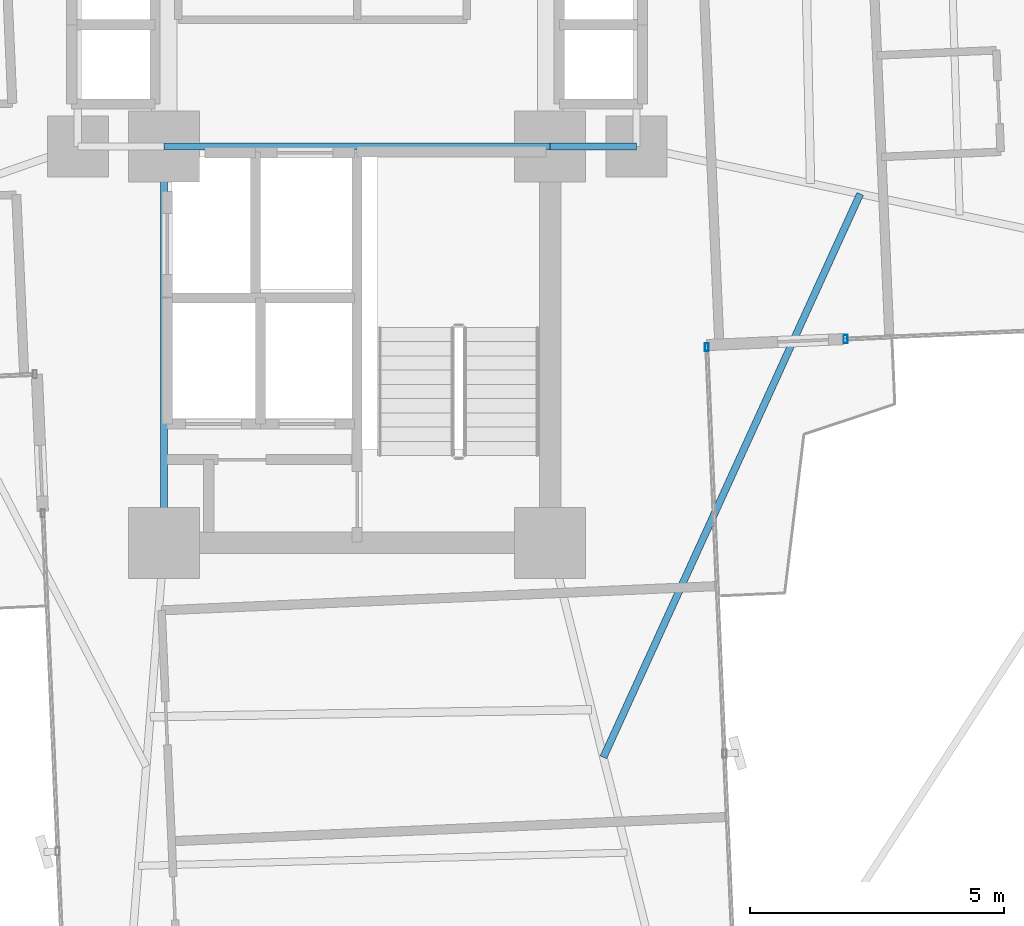
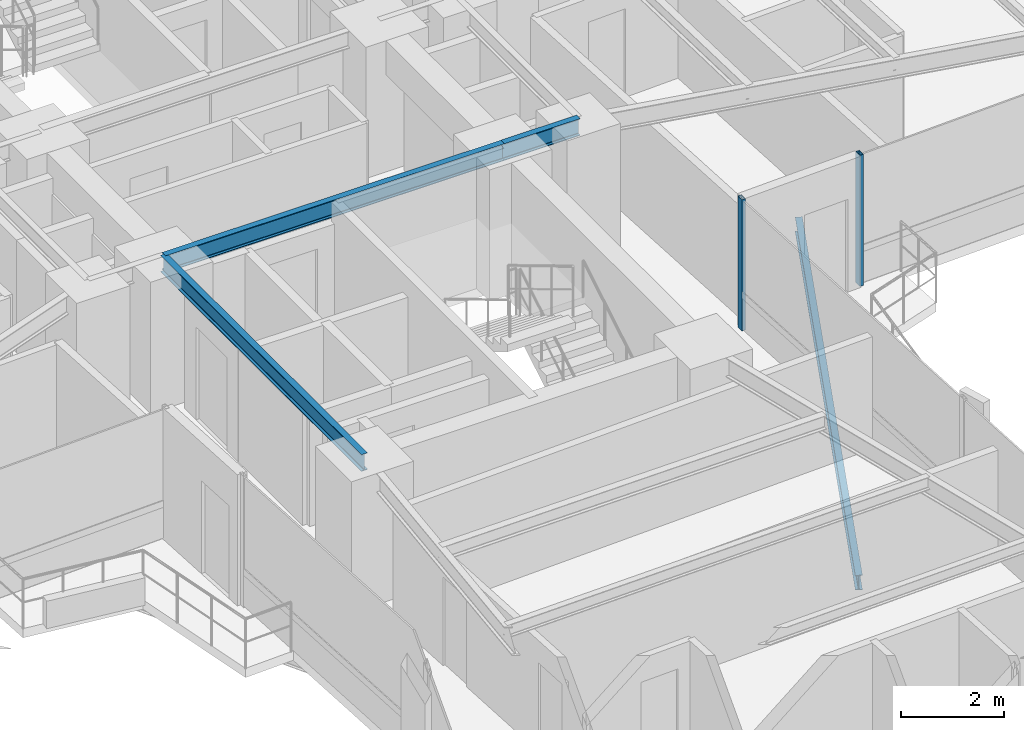
# One storey, part 11 of 26: 4 beams, 2 members, 2 elements without a shape of their own.
"""IFC4 building model written with IfcOpenShell, lengths in metres."""

from ifc_helpers import new_model, si_unit, direction, frame, origin, origin_2d, place, context, subcontext, project, spatial, hollow_rectangle, i_section, extrude, source, transform, mapped, material, material_profile, profile_set, type_object, element, aggregate, save


model = new_model("IFC4")

# Units and contexts
model_context = context("Model", 3, precision=1e-05, world=origin(), true_north=direction((0.0, 1.0)))
body_context = subcontext(model_context, "Body", "Model", "MODEL_VIEW")
ifc_project = project(units=[si_unit("LENGTHUNIT", "METRE"), si_unit("AREAUNIT", "SQUARE_METRE"), si_unit("VOLUMEUNIT", "CUBIC_METRE"), si_unit("PLANEANGLEUNIT", "RADIAN"), si_unit("MASSUNIT", "GRAM", prefix="KILO")], contexts=[model_context])

# Site, building, storey
site_placement = place(None, origin())
site = spatial("IfcSite", under=ifc_project, at=site_placement, CompositionType="ELEMENT")
building_placement = place(site_placement, origin())
building = spatial("IfcBuilding", under=site, at=building_placement, Name="Sahyath Konkavel Grand Hotel", CompositionType="ELEMENT")
storey_placement = place(building_placement, frame((0.0, 0.0, 111.449951171875)))
storey = spatial("IfcBuildingStorey", under=building, at=storey_placement, Name="L30", CompositionType="ELEMENT", Elevation=111.449951171875)

# Beams
ifc_material_1 = material(Name="Steel E350", Category="steel")
ifc_material_profile_1 = material_profile(ifc_material_1, i_section(OverallWidth=0.139892578125, OverallDepth=0.39990234375, WebThickness=0.0087890625, FlangeThickness=0.01611328125, FilletRadius=0.013916015625, at=origin_2d()), Name="ISMB 400")
ifc_profile_set_1 = profile_set([ifc_material_profile_1], Name="Steel E350")
beam_type_1 = type_object("IfcBeamType", Name="BM-ISMB400", PredefinedType="BEAM", material=ifc_profile_set_1)
shared_shape_1 = source(origin(), body_context, "Body", "SweptSolid", [
    extrude(i_section(OverallWidth=0.139892578125, OverallDepth=0.39990234375, WebThickness=0.0087890625, FlangeThickness=0.01611328125, FilletRadius=0.013916015625, at=origin_2d()), origin(), (0.0, 0.0, 1.0), 7.60009765625),
])
beam_1_placement = place(storey_placement, frame((-3.800048828125, -2.39990234375, 2.91015625), z_axis=(1.0, 0.0, 0.0), x_axis=(0.0, 1.0, 0.0)))
element("IfcBeam", 1, at=beam_1_placement, inside=storey, type_object=beam_type_1, Name="str:bm:L30:SC-N", PredefinedType="BEAM", context=body_context, shape_type="MappedRepresentation", body=[
    mapped(shared_shape_1, transform((0.0, 0.0, 0.0), scale=1.0)),
])
shared_shape_2 = source(origin(), body_context, "Body", "SweptSolid", [
    extrude(i_section(OverallWidth=0.139892578125, OverallDepth=0.39990234375, WebThickness=0.0087890625, FlangeThickness=0.01611328125, FilletRadius=0.013916015625, at=origin_2d()), origin(), (0.0, 0.0, 1.0), 7.800048828125),
])
beam_2_placement = place(storey_placement, frame((-3.800048828125, -10.199951171875, 2.91015625), z_axis=(0.0, 1.0, 0.0), x_axis=(-1.0, 0.0, 0.0)))
element("IfcBeam", 2, at=beam_2_placement, inside=storey, type_object=beam_type_1, Name="str:bm:L30:SC-W", PredefinedType="BEAM", context=body_context, shape_type="MappedRepresentation", body=[
    mapped(shared_shape_2, transform((0.0, 0.0, 0.0), scale=1.0)),
])
shared_shape_3 = source(origin(), body_context, "Body", "SweptSolid", [
    extrude(i_section(OverallWidth=0.139892578125, OverallDepth=0.39990234375, WebThickness=0.0087890625, FlangeThickness=0.01611328125, FilletRadius=0.013916015625, at=origin_2d()), origin(), (0.0, 0.0, 1.0), 1.699951171875),
])
beam_3_placement = place(storey_placement, frame((3.800048828125, -2.39990234375, 2.91015625), z_axis=(1.0, 0.0, 0.0), x_axis=(0.0, 1.0, 0.0)))
element("IfcBeam", 3, at=beam_3_placement, inside=storey, type_object=beam_type_1, Name="str:bm:L30:HB-SE", PredefinedType="BEAM", context=body_context, shape_type="MappedRepresentation", body=[
    mapped(shared_shape_3, transform((0.0, 0.0, 0.0), scale=1.0)),
])

# Curtain wall, member
ifc_material_2 = material(Name="Anodised Bronze Aluminium & Low-E Glazing", Category="aluminium")
curtain_wall_type = type_object("IfcCurtainWallType", Name="CW-ZONE2", PredefinedType="NOTDEFINED", material=ifc_material_2)
curtain_wall_1_placement = place(storey_placement, origin())
curtain_wall_1 = element("IfcCurtainWall", 4, at=curtain_wall_1_placement, inside=storey, type_object=curtain_wall_type, Name="L30 Unitised Curtain Wall F0", PredefinedType="NOTDEFINED")
ifc_material_3 = material(Name="Anodised Bronze Aluminium", Category="aluminium")
ifc_material_profile_2 = material_profile(ifc_material_3, hollow_rectangle(XDim=0.080078125, YDim=0.159912109375, WallThickness=0.006103515625, at=origin_2d()), Name="RHS 160x80x6")
ifc_profile_set_2 = profile_set([ifc_material_profile_2], Name="Anodised Bronze Aluminium")
member_type = type_object("IfcMemberType", Name="CW-MUL-160", PredefinedType="MULLION", material=ifc_profile_set_2)
shared_shape_4 = source(origin(), body_context, "Body", "SweptSolid", [
    extrude(hollow_rectangle(XDim=0.080078125, YDim=0.159912109375, WallThickness=0.006103515625, at=origin_2d()), origin(), (0.0, 0.0, 1.0), 3.110107421875),
])
member_1_placement = place(storey_placement, frame((9.618896484375, -6.186279296875, 0.0), z_axis=(0.0, 0.0, 1.0), x_axis=(1.0, 0.0, 0.0)))
member_1 = element("IfcMember", 5, at=member_1_placement, type_object=member_type, Name="L30 Curtain Wall Mullion F0-0", PredefinedType="MULLION", context=body_context, shape_type="MappedRepresentation", body=[
    mapped(shared_shape_4, transform((0.0, 0.0, 0.0), scale=1.0)),
])
aggregate(curtain_wall_1, [member_1])

curtain_wall_2_placement = place(storey_placement, origin())
curtain_wall_2 = element("IfcCurtainWall", 6, at=curtain_wall_2_placement, inside=storey, type_object=curtain_wall_type, Name="L30 Unitised Curtain Wall F31", PredefinedType="NOTDEFINED")
member_2_placement = place(storey_placement, frame((6.88330078125, -6.345703125, 0.0), z_axis=(0.0, 0.0, 1.0), x_axis=(1.0, 0.0, 0.0)))
member_2 = element("IfcMember", 7, at=member_2_placement, type_object=member_type, Name="L30 Curtain Wall Mullion F31-2", PredefinedType="MULLION", context=body_context, shape_type="MappedRepresentation", body=[
    mapped(shared_shape_4, transform((0.0, 0.0, 0.0), scale=1.0)),
])
aggregate(curtain_wall_2, [member_2])

# Beam
ifc_material_profile_3 = material_profile(ifc_material_1, i_section(OverallWidth=0.139892578125, OverallDepth=0.35009765625, WebThickness=0.008056640625, FlangeThickness=0.01416015625, FilletRadius=0.013916015625, at=origin_2d()), Name="ISMB 350")
ifc_profile_set_3 = profile_set([ifc_material_profile_3], Name="Steel E350")
beam_type_2 = type_object("IfcBeamType", Name="BM-BALC-CANT", PredefinedType="BEAM", material=ifc_profile_set_3)
shared_shape_5 = source(origin(), body_context, "Body", "SweptSolid", [
    extrude(i_section(OverallWidth=0.139892578125, OverallDepth=0.35009765625, WebThickness=0.008056640625, FlangeThickness=0.01416015625, FilletRadius=0.013916015625, at=origin_2d()), origin(), (0.0, 0.0, 1.0), 12.190673828125),
])
beam_4_placement = place(storey_placement, frame((4.8486328125, -14.422119140625, -0.4150390625), z_axis=(0.414712580086, 0.909952458054, 0.0), x_axis=(-0.909952458054, 0.414712580086, 0.0)))
element("IfcBeam", 8, at=beam_4_placement, inside=storey, type_object=beam_type_2, Name="L30 Balcony Cantilever Support Beam SE", PredefinedType="BEAM", context=body_context, shape_type="MappedRepresentation", body=[
    mapped(shared_shape_5, transform((0.0, 0.0, 0.0), scale=1.0)),
])

save(model, "model.ifc")
